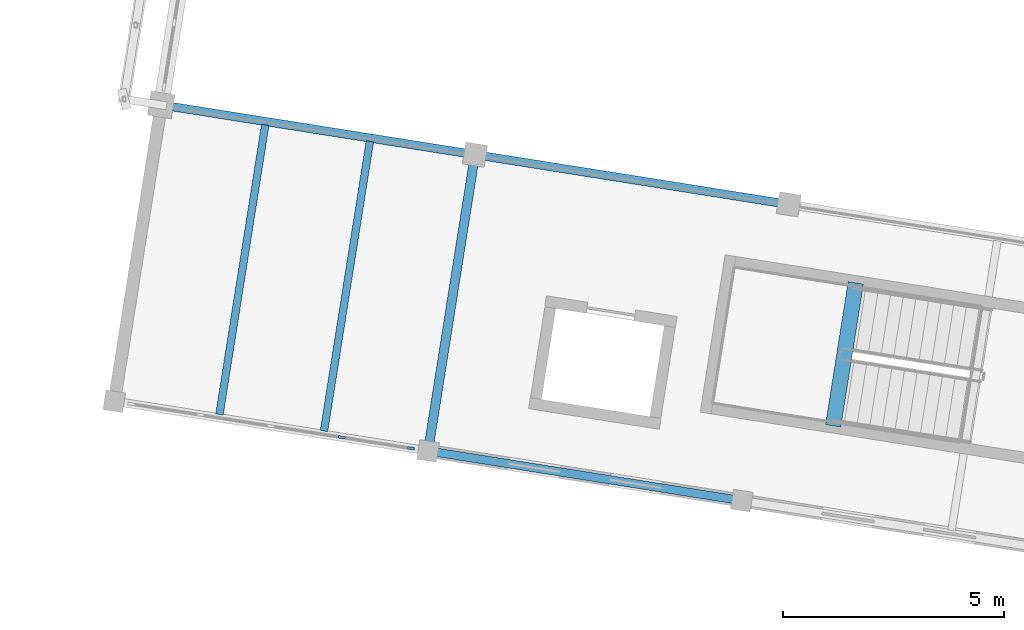
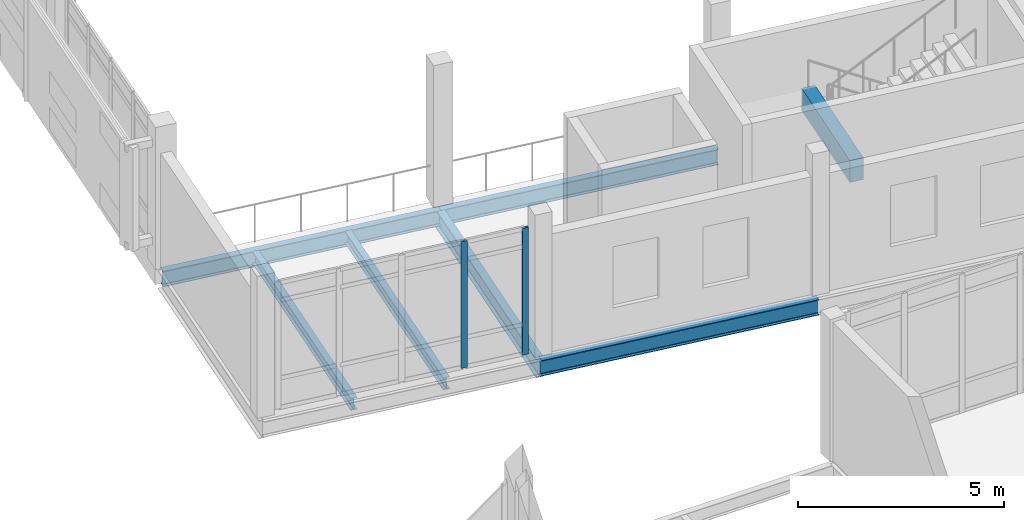
# One storey, part 37 of 137: 7 beams, 2 members, 1 element without a shape of its own.
"""IFC4 building model written with IfcOpenShell, lengths in metres."""

from ifc_helpers import new_model, si_unit, direction, frame, origin, origin_2d, place, context, subcontext, project, spatial, rectangle, i_section, extrude, material, material_profile, profile_set, type_object, element, aggregate, save


model = new_model("IFC4")

# Units and contexts
model_context = context("Model", 3, precision=1e-05, world=origin(), true_north=direction((0.0, 1.0)))
body_context = subcontext(model_context, "Body", "Model", "MODEL_VIEW")
ifc_project = project(units=[si_unit("LENGTHUNIT", "METRE"), si_unit("AREAUNIT", "SQUARE_METRE"), si_unit("VOLUMEUNIT", "CUBIC_METRE"), si_unit("PLANEANGLEUNIT", "RADIAN"), si_unit("MASSUNIT", "GRAM", prefix="KILO")], contexts=[model_context])

# Site, building, storey
site_placement = place(None, origin())
site = spatial("IfcSite", under=ifc_project, at=site_placement, CompositionType="ELEMENT")
building_placement = place(site_placement, origin())
building = spatial("IfcBuilding", under=site, at=building_placement, Name="Cinderway Yard Community Centre", CompositionType="ELEMENT")
storey_placement = place(building_placement, frame((0.0, 0.0, 4.800048828125)))
storey = spatial("IfcBuildingStorey", under=building, at=storey_placement, Name="L01", CompositionType="ELEMENT", Elevation=4.800048828125)

# Curtain wall, members
ifc_material_1 = material(Name="Aluminium 6063-T6", Category="aluminium")
curtain_wall_type = type_object("IfcCurtainWallType", Name="ENV-CW-TYPE-15", PredefinedType="USERDEFINED", material=ifc_material_1)
curtain_wall_placement = place(storey_placement, origin())
curtain_wall = element("IfcCurtainWall", 1, at=curtain_wall_placement, inside=storey, type_object=curtain_wall_type, Name="Sports South Lobby Curtain Wall ENV-CW-L01-ST-0057", ObjectType="GLAZED CURTAIN WALL", PredefinedType="USERDEFINED")
ifc_material_profile_1 = material_profile(ifc_material_1, rectangle(XDim=0.06005859375, YDim=0.159912109375, at=origin_2d()), Name="Aluminium 6063-T6")
ifc_profile_set_1 = profile_set([ifc_material_profile_1], Name="Aluminium 6063-T6")
member_type = type_object("IfcMemberType", Name="ENV-CW-MULL-150", PredefinedType="MULLION", material=ifc_profile_set_1)
member_1_placement = place(storey_placement, frame((122.092041015625, 30.466796875, 0.0), z_axis=(0.0, 0.0, 1.0), x_axis=(0.156636128875, 0.987656379077, 0.0)))
member_1 = element("IfcMember", 2, at=member_1_placement, type_object=member_type, Name="CW-15 mullion 4", PredefinedType="MULLION", context=body_context, shape_type="SweptSolid", body=[
    extrude(rectangle(XDim=0.06005859375, YDim=0.159912109375, at=origin_2d()), origin(), (0.0, 0.0, 1.0), 3.75),
])
member_2_placement = place(storey_placement, frame((123.662353515625, 30.2177734375, 0.0), z_axis=(0.0, 0.0, 1.0), x_axis=(0.156636128875, 0.987656379077, 0.0)))
member_2 = element("IfcMember", 3, at=member_2_placement, type_object=member_type, Name="CW-15 mullion 5", PredefinedType="MULLION", context=body_context, shape_type="SweptSolid", body=[
    extrude(rectangle(XDim=0.06005859375, YDim=0.159912109375, at=origin_2d()), origin(), (0.0, 0.0, 1.0), 3.75),
])
aggregate(curtain_wall, [member_1, member_2])

# Beams
ifc_material_2 = material(Name="Concrete C35/45", Category="concrete")
ifc_material_profile_2 = material_profile(ifc_material_2, rectangle(XDim=0.35009765625, YDim=0.64990234375, at=origin_2d()), Name="Concrete C35/45")
ifc_profile_set_2 = profile_set([ifc_material_profile_2], Name="Concrete C35/45")
beam_type_1 = type_object("IfcBeamType", Name="STR-BM-RC350X650", PredefinedType="BEAM", material=ifc_profile_set_2)
beam_1_placement = place(storey_placement, frame((133.742919921875, 33.968017578125, 1.77490234375), z_axis=(-0.156367675679, -0.987698916676, 0.0), x_axis=(0.987698916676, -0.156367675679, 0.0)))
element("IfcBeam", 4, at=beam_1_placement, inside=storey, type_object=beam_type_1, Name="Stair half-landing trimmer C4A L01", PredefinedType="BEAM", context=body_context, shape_type="SweptSolid", body=[
    extrude(rectangle(XDim=0.35009765625, YDim=0.64990234375, at=origin_2d()), origin(), (0.0, 0.0, 1.0), 3.2802734375),
])
ifc_material_3 = material(Name="Steel S355", Category="steel")
ifc_material_profile_3 = material_profile(ifc_material_3, i_section(OverallWidth=0.172119140625, OverallDepth=0.35791015625, WebThickness=0.0078125, FlangeThickness=0.01318359375, FilletRadius=0.010986328125, at=origin_2d()), Name="Steel S355")
ifc_profile_set_3 = profile_set([ifc_material_profile_3], Name="Steel S355")
beam_type_2 = type_object("IfcBeamType", Name="STR-BM-W360X57", PredefinedType="JOIST", material=ifc_profile_set_3)
beam_2_placement = place(storey_placement, frame((119.319091796875, 30.985107421875, -0.4189453125), z_axis=(0.156338027688, 0.987703609945, 0.0), x_axis=(-0.987703609945, 0.156338027688, 0.0)))
element("IfcBeam", 5, at=beam_2_placement, inside=storey, type_object=beam_type_2, Name="Secondary joist STR-BM-L01-SJ03-0079", PredefinedType="JOIST", context=body_context, shape_type="SweptSolid", body=[
    extrude(i_section(OverallWidth=0.172119140625, OverallDepth=0.35791015625, WebThickness=0.0078125, FlangeThickness=0.01318359375, FilletRadius=0.010986328125, at=origin_2d()), origin(), (0.0, 0.0, 1.0), 6.644775390625),
])
beam_3_placement = place(storey_placement, frame((121.68896484375, 30.60888671875, -0.4189453125), z_axis=(0.156488847096, 0.987679725789, 0.0), x_axis=(-0.987679725789, 0.156488847096, 0.0)))
element("IfcBeam", 6, at=beam_3_placement, inside=storey, type_object=beam_type_2, Name="Secondary joist STR-BM-L01-SJ03-0080", PredefinedType="JOIST", context=body_context, shape_type="SweptSolid", body=[
    extrude(i_section(OverallWidth=0.172119140625, OverallDepth=0.35791015625, WebThickness=0.0078125, FlangeThickness=0.01318359375, FilletRadius=0.010986328125, at=origin_2d()), origin(), (0.0, 0.0, 1.0), 6.64599609375),
])
ifc_material_profile_4 = material_profile(ifc_material_3, i_section(OverallWidth=0.19091796875, OverallDepth=0.4599609375, WebThickness=0.010009765625, FlangeThickness=0.014404296875, FilletRadius=0.012939453125, at=origin_2d()), Name="Steel S355")
ifc_profile_set_4 = profile_set([ifc_material_profile_4], Name="Steel S355")
beam_type_3 = type_object("IfcBeamType", Name="STR-BM-W460X82", PredefinedType="JOIST", material=ifc_profile_set_4)
beam_4_placement = place(storey_placement, frame((124.048095703125, 30.156982421875, -0.469970703125), z_axis=(0.987694130716, -0.156397903278, 0.0), x_axis=(0.156397903278, 0.987694130716, 0.0)))
element("IfcBeam", 7, at=beam_4_placement, inside=storey, type_object=beam_type_3, Name="Primary girder STR-BM-L01-SJ01-0071", PredefinedType="JOIST", context=body_context, shape_type="SweptSolid", body=[
    extrude(i_section(OverallWidth=0.19091796875, OverallDepth=0.4599609375, WebThickness=0.010009765625, FlangeThickness=0.014404296875, FilletRadius=0.012939453125, at=origin_2d()), origin(), (0.0, 0.0, 1.0), 7.199462890625),
])
beam_5_placement = place(storey_placement, frame((118.0, 38.0, -0.469970703125), z_axis=(0.987694960149, -0.156392665095, 0.0), x_axis=(0.156392665095, 0.987694960149, 0.0)))
element("IfcBeam", 8, at=beam_5_placement, inside=storey, type_object=beam_type_3, Name="Primary girder STR-BM-L01-SJ01-0073", PredefinedType="JOIST", context=body_context, shape_type="SweptSolid", body=[
    extrude(i_section(OverallWidth=0.19091796875, OverallDepth=0.4599609375, WebThickness=0.010009765625, FlangeThickness=0.014404296875, FilletRadius=0.012939453125, at=origin_2d()), origin(), (0.0, 0.0, 1.0), 7.19970703125),
])
beam_6_placement = place(storey_placement, frame((125.111083984375, 36.8740234375, -0.469970703125), z_axis=(0.987676491652, -0.156509257997, 0.0), x_axis=(0.156509257997, 0.987676491652, 0.0)))
element("IfcBeam", 9, at=beam_6_placement, inside=storey, type_object=beam_type_3, Name="Primary girder STR-BM-L01-SJ01-0074", PredefinedType="JOIST", context=body_context, shape_type="SweptSolid", body=[
    extrude(i_section(OverallWidth=0.19091796875, OverallDepth=0.4599609375, WebThickness=0.010009765625, FlangeThickness=0.014404296875, FilletRadius=0.012939453125, at=origin_2d()), origin(), (0.0, 0.0, 1.0), 7.200439453125),
])
ifc_material_profile_5 = material_profile(ifc_material_3, i_section(OverallWidth=0.2109375, OverallDepth=0.5390625, WebThickness=0.010986328125, FlangeThickness=0.017333984375, FilletRadius=0.013916015625, at=origin_2d()), Name="Steel S355")
ifc_profile_set_5 = profile_set([ifc_material_profile_5], Name="Steel S355")
beam_type_4 = type_object("IfcBeamType", Name="STR-BM-W530X109", PredefinedType="BEAM", material=ifc_profile_set_5)
beam_7_placement = place(storey_placement, frame((124.048095703125, 30.156982421875, -0.510009765625), z_axis=(0.15630729813, 0.987708473463, 0.0), x_axis=(-0.987708473463, 0.15630729813, 0.0)))
element("IfcBeam", 10, at=beam_7_placement, inside=storey, type_object=beam_type_4, Name="Transverse girder STR-BM-L01-SB06-0077", PredefinedType="BEAM", context=body_context, shape_type="SweptSolid", body=[
    extrude(i_section(OverallWidth=0.2109375, OverallDepth=0.5390625, WebThickness=0.010986328125, FlangeThickness=0.017333984375, FilletRadius=0.013916015625, at=origin_2d()), origin(), (0.0, 0.0, 1.0), 6.800537109375),
])

save(model, "model.ifc")
